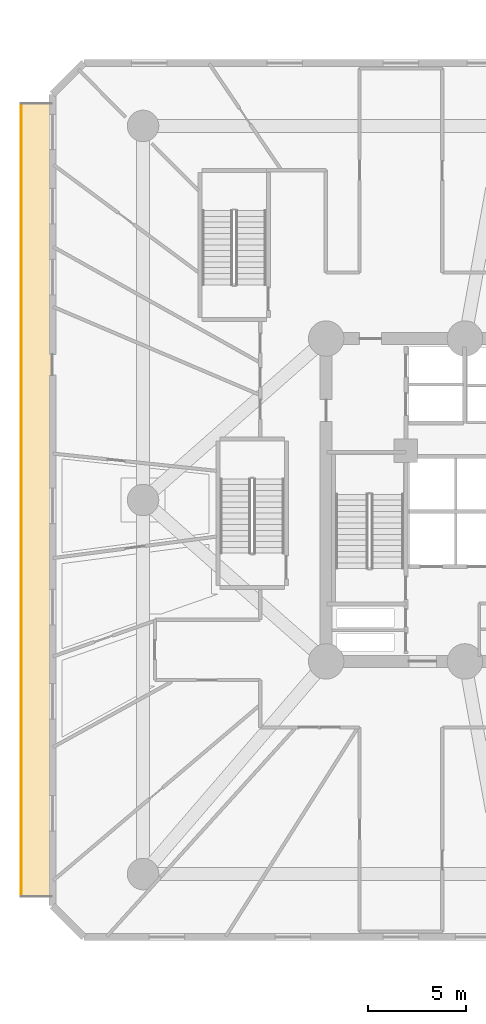
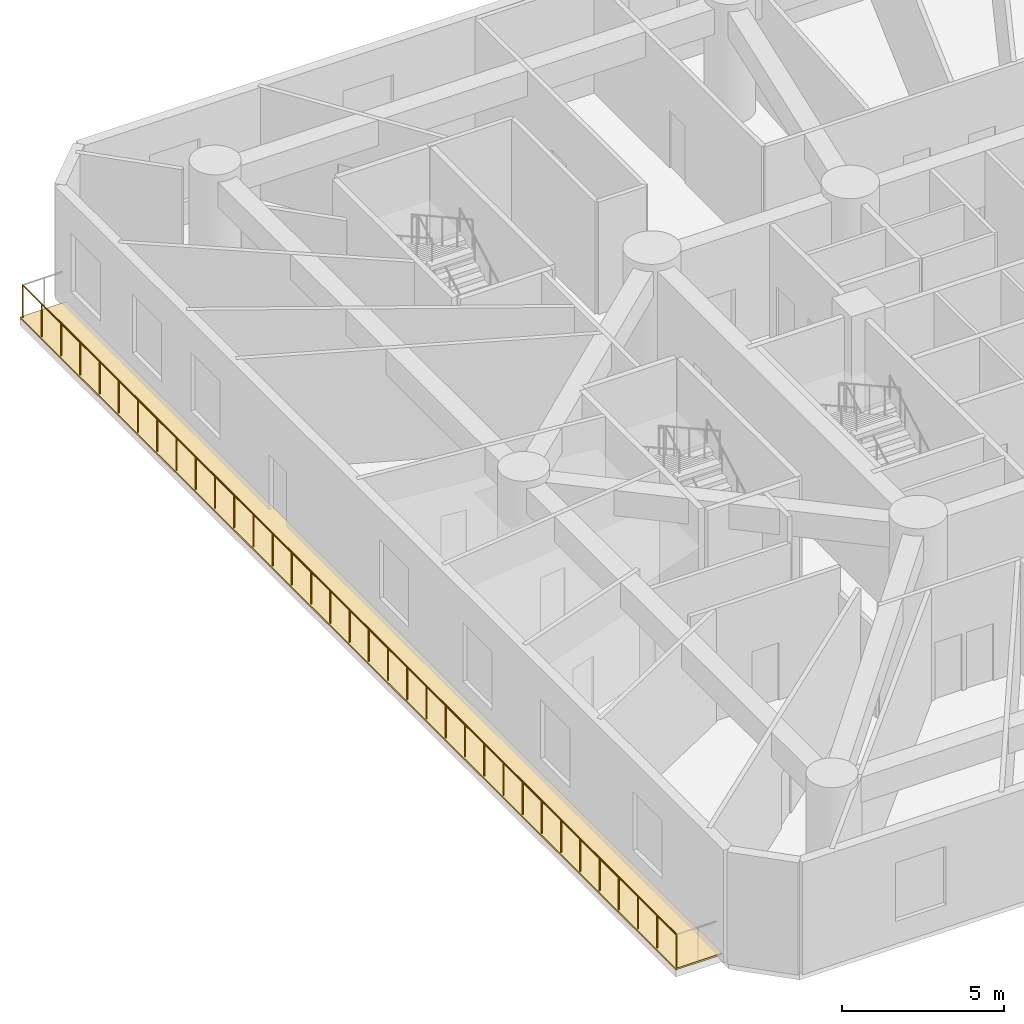
# One storey, part 20 of 24: 1 covering, 1 railing.
"""IFC4 building model written with IfcOpenShell, lengths in metres."""

from ifc_helpers import new_model, si_unit, direction, frame, origin, origin_2d, place, context, subcontext, project, spatial, polyline, circle, outline, extrude, material, layer, layer_set, type_object, element, save


model = new_model("IFC4")

# Units and contexts
model_context = context("Model", 3, precision=1e-05, world=origin(), true_north=direction((0.0, 1.0)))
body_context = subcontext(model_context, "Body", "Model", "MODEL_VIEW")
ifc_project = project(units=[si_unit("LENGTHUNIT", "METRE"), si_unit("AREAUNIT", "SQUARE_METRE"), si_unit("VOLUMEUNIT", "CUBIC_METRE"), si_unit("PLANEANGLEUNIT", "RADIAN"), si_unit("MASSUNIT", "GRAM", prefix="KILO")], contexts=[model_context])

# Site, building, storey
site_placement = place(None, origin())
site = spatial("IfcSite", under=ifc_project, at=site_placement, CompositionType="ELEMENT")
building_placement = place(site_placement, origin())
building = spatial("IfcBuilding", under=site, at=building_placement, Name="Karkom Vertical University and Central Library", CompositionType="ELEMENT")
storey_placement = place(building_placement, frame((0.0, 0.0, 13.5)))
storey = spatial("IfcBuildingStorey", under=building, at=storey_placement, Name="L03", CompositionType="ELEMENT", Elevation=13.5)

# Covering
ifc_material_1 = material(Name="EPDM membrane with Kota stone ballast roofing", Category="masonry")
ifc_layer_1 = layer(ifc_material_1, 0.080078125)
ifc_layer_set_1 = layer_set([ifc_layer_1], Name="EPDM membrane with Kota stone ballast roofing")
covering_type = type_object("IfcCoveringType", Name="ENV-COV-ROOF", PredefinedType="ROOFING", material=ifc_layer_set_1)
covering_placement = place(storey_placement, origin())
element("IfcCovering", 1, at=covering_placement, inside=storey, type_object=covering_type, Name="Level 03 POD Terrace Waterproofing Covering", PredefinedType="ROOFING", context=body_context, shape_type="SweptSolid", body=[
    extrude(outline(polyline([(3.949951171875, 6.300048828125), (5.60009765625, 6.300048828125), (5.60009765625, 46.699951171875), (3.949951171875, 46.699951171875), (3.949951171875, 6.300048828125)])), origin(), (0.0, 0.0, 1.0), 0.06005859375),
])

# Railing
ifc_material_2 = material(Name="Architectural painted steel & laminated glass balustrade", Category="steel")
ifc_layer_2 = layer(ifc_material_2, 0.090087890625)
ifc_layer_set_2 = layer_set([ifc_layer_2], Name="Architectural painted steel & laminated glass balustrade")
railing_type = type_object("IfcRailingType", Name="ENV-RL-BAL1300", PredefinedType="BALUSTRADE", material=ifc_layer_set_2)
railing_placement = place(storey_placement, frame((4.010009765625, 6.360107421875, 0.0)))
element("IfcRailing", 2, at=railing_placement, inside=storey, type_object=railing_type, Name="Level 03 Planted Terrace Safety Balustrade 01", PredefinedType="BALUSTRADE", context=body_context, shape_type="SweptSolid", body=[
    extrude(circle(Radius=0.02392578125, at=origin_2d()), frame((0.0, 0.0, 1.27587890625), z_axis=(0.0, 1.0, 0.0), x_axis=(-1.0, 0.0, 0.0)), (0.0, 0.0, 1.0), 40.27978515625),
    extrude(circle(Radius=0.02099609375, at=origin_2d()), origin(), (0.0, 0.0, 1.0), 1.251953125),
    extrude(circle(Radius=0.02099609375, at=origin_2d()), frame((0.0, 1.184814453125, 0.0)), (0.0, 0.0, 1.0), 1.251953125),
    extrude(circle(Radius=0.02099609375, at=origin_2d()), frame((0.0, 2.369384765625, 0.0)), (0.0, 0.0, 1.0), 1.251953125),
    extrude(circle(Radius=0.02099609375, at=origin_2d()), frame((0.0, 3.55419921875, 0.0)), (0.0, 0.0, 1.0), 1.251953125),
    extrude(circle(Radius=0.02099609375, at=origin_2d()), frame((0.0, 4.73876953125, 0.0)), (0.0, 0.0, 1.0), 1.251953125),
    extrude(circle(Radius=0.02099609375, at=origin_2d()), frame((0.0, 5.923583984375, 0.0)), (0.0, 0.0, 1.0), 1.251953125),
    extrude(circle(Radius=0.02099609375, at=origin_2d()), frame((0.0, 7.108154296875, 0.0)), (0.0, 0.0, 1.0), 1.251953125),
    extrude(circle(Radius=0.02099609375, at=origin_2d()), frame((0.0, 8.29296875, 0.0)), (0.0, 0.0, 1.0), 1.251953125),
    extrude(circle(Radius=0.02099609375, at=origin_2d()), frame((0.0, 9.4775390625, 0.0)), (0.0, 0.0, 1.0), 1.251953125),
    extrude(circle(Radius=0.02099609375, at=origin_2d()), frame((0.0, 10.662353515625, 0.0)), (0.0, 0.0, 1.0), 1.251953125),
    extrude(circle(Radius=0.02099609375, at=origin_2d()), frame((0.0, 11.846923828125, 0.0)), (0.0, 0.0, 1.0), 1.251953125),
    extrude(circle(Radius=0.02099609375, at=origin_2d()), frame((0.0, 13.03173828125, 0.0)), (0.0, 0.0, 1.0), 1.251953125),
    extrude(circle(Radius=0.02099609375, at=origin_2d()), frame((0.0, 14.21630859375, 0.0)), (0.0, 0.0, 1.0), 1.251953125),
    extrude(circle(Radius=0.02099609375, at=origin_2d()), frame((0.0, 15.401123046875, 0.0)), (0.0, 0.0, 1.0), 1.251953125),
    extrude(circle(Radius=0.02099609375, at=origin_2d()), frame((0.0, 16.585693359375, 0.0)), (0.0, 0.0, 1.0), 1.251953125),
    extrude(circle(Radius=0.02099609375, at=origin_2d()), frame((0.0, 17.7705078125, 0.0)), (0.0, 0.0, 1.0), 1.251953125),
    extrude(circle(Radius=0.02099609375, at=origin_2d()), frame((0.0, 18.955078125, 0.0)), (0.0, 0.0, 1.0), 1.251953125),
    extrude(circle(Radius=0.02099609375, at=origin_2d()), frame((0.0, 20.139892578125, 0.0)), (0.0, 0.0, 1.0), 1.251953125),
    extrude(circle(Radius=0.02099609375, at=origin_2d()), frame((0.0, 21.32470703125, 0.0)), (0.0, 0.0, 1.0), 1.251953125),
    extrude(circle(Radius=0.02099609375, at=origin_2d()), frame((0.0, 22.50927734375, 0.0)), (0.0, 0.0, 1.0), 1.251953125),
    extrude(circle(Radius=0.02099609375, at=origin_2d()), frame((0.0, 23.694091796875, 0.0)), (0.0, 0.0, 1.0), 1.251953125),
    extrude(circle(Radius=0.02099609375, at=origin_2d()), frame((0.0, 24.878662109375, 0.0)), (0.0, 0.0, 1.0), 1.251953125),
    extrude(circle(Radius=0.02099609375, at=origin_2d()), frame((0.0, 26.0634765625, 0.0)), (0.0, 0.0, 1.0), 1.251953125),
    extrude(circle(Radius=0.02099609375, at=origin_2d()), frame((0.0, 27.248046875, 0.0)), (0.0, 0.0, 1.0), 1.251953125),
    extrude(circle(Radius=0.02099609375, at=origin_2d()), frame((0.0, 28.432861328125, 0.0)), (0.0, 0.0, 1.0), 1.251953125),
    extrude(circle(Radius=0.02099609375, at=origin_2d()), frame((0.0, 29.617431640625, 0.0)), (0.0, 0.0, 1.0), 1.251953125),
    extrude(circle(Radius=0.02099609375, at=origin_2d()), frame((0.0, 30.80224609375, 0.0)), (0.0, 0.0, 1.0), 1.251953125),
    extrude(circle(Radius=0.02099609375, at=origin_2d()), frame((0.0, 31.98681640625, 0.0)), (0.0, 0.0, 1.0), 1.251953125),
    extrude(circle(Radius=0.02099609375, at=origin_2d()), frame((0.0, 33.171630859375, 0.0)), (0.0, 0.0, 1.0), 1.251953125),
    extrude(circle(Radius=0.02099609375, at=origin_2d()), frame((0.0, 34.356201171875, 0.0)), (0.0, 0.0, 1.0), 1.251953125),
    extrude(circle(Radius=0.02099609375, at=origin_2d()), frame((0.0, 35.541015625, 0.0)), (0.0, 0.0, 1.0), 1.251953125),
    extrude(circle(Radius=0.02099609375, at=origin_2d()), frame((0.0, 36.7255859375, 0.0)), (0.0, 0.0, 1.0), 1.251953125),
    extrude(circle(Radius=0.02099609375, at=origin_2d()), frame((0.0, 37.910400390625, 0.0)), (0.0, 0.0, 1.0), 1.251953125),
    extrude(circle(Radius=0.02099609375, at=origin_2d()), frame((0.0, 39.094970703125, 0.0)), (0.0, 0.0, 1.0), 1.251953125),
    extrude(circle(Radius=0.02099609375, at=origin_2d()), frame((0.0, 40.27978515625, 0.0)), (0.0, 0.0, 1.0), 1.251953125),
])

save(model, "model.ifc")
